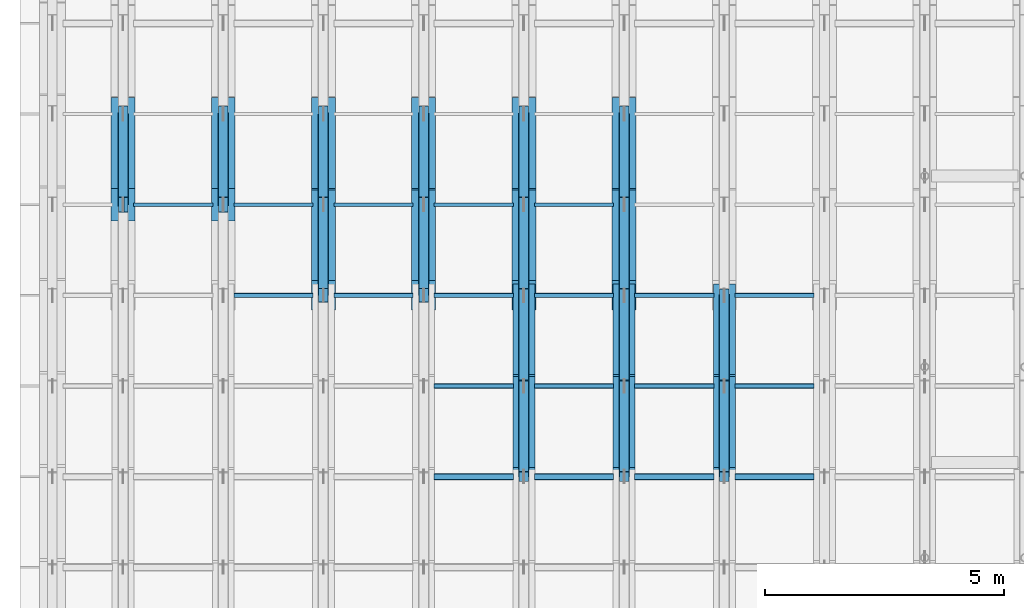
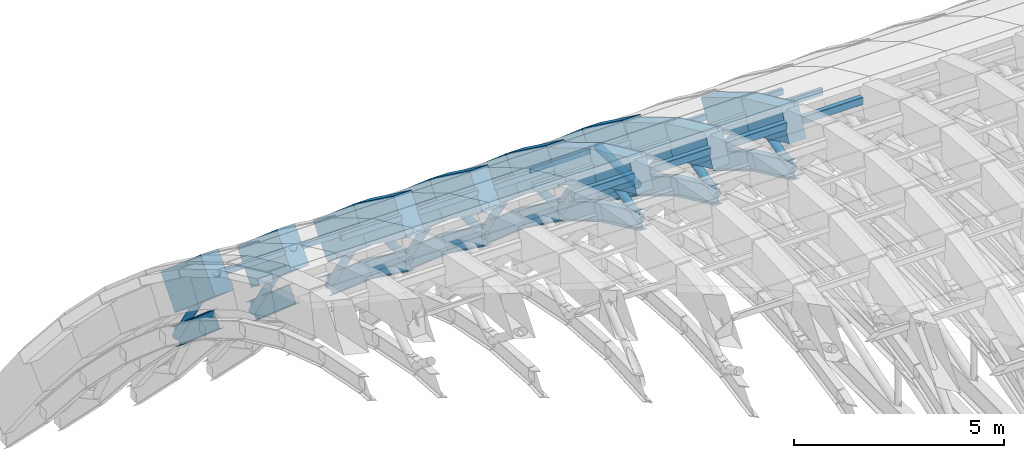
# One storey, part 14 of 67: 35 members, 32 beams.
"""IFC4 building model written with IfcOpenShell, lengths in metres."""

from ifc_helpers import new_model, si_unit, direction, frame, origin, origin_2d, place, context, subcontext, project, spatial, rectangle, hollow_rectangle, hollow_circle, i_section, extrude, material, material_profile, profile_set, type_object, element, save


model = new_model("IFC4")

# Units and contexts
model_context = context("Model", 3, precision=1e-05, world=origin(), true_north=direction((0.0, 1.0)))
body_context = subcontext(model_context, "Body", "Model", "MODEL_VIEW")
ifc_project = project(units=[si_unit("LENGTHUNIT", "METRE"), si_unit("AREAUNIT", "SQUARE_METRE"), si_unit("VOLUMEUNIT", "CUBIC_METRE"), si_unit("PLANEANGLEUNIT", "RADIAN"), si_unit("MASSUNIT", "GRAM", prefix="KILO")], contexts=[model_context])

# Site, building, storey
site_placement = place(None, origin())
site = spatial("IfcSite", under=ifc_project, at=site_placement, CompositionType="ELEMENT")
building_placement = place(site_placement, origin())
building = spatial("IfcBuilding", under=site, at=building_placement, Name="Shengluoqiao Park Theatre", CompositionType="ELEMENT")
storey_placement = place(building_placement, frame((0.0, 0.0, 28.60009765625)))
storey = spatial("IfcBuildingStorey", under=building, at=storey_placement, Name="Roof", CompositionType="ELEMENT", Elevation=28.60009765625)

# Beams
ifc_material_1 = material(Name="Concrete C50", Category="concrete")
ifc_material_profile_1 = material_profile(ifc_material_1, rectangle(XDim=0.4599609375, YDim=0.919921875, at=origin_2d()), Name="RC ARCH 460x920")
ifc_profile_set_1 = profile_set([ifc_material_profile_1], Name="Concrete C50")
beam_type_1 = type_object("IfcBeamType", Name="STR-BM-AR-4609", PredefinedType="BEAM", material=ifc_profile_set_1)
beam_1_placement = place(storey_placement, frame((54.89990234375, 100.699951171875, 1.44580078125), z_axis=(0.0, 0.907077318021, -0.420964059192), x_axis=(-1.0, 0.0, 0.0)))
element("IfcBeam", 1, at=beam_1_placement, inside=storey, type_object=beam_type_1, Name="Barrel-Shell Arch Rib R06-S14", PredefinedType="BEAM", context=body_context, shape_type="SweptSolid", body=[
    extrude(rectangle(XDim=0.4599609375, YDim=0.919921875, at=origin_2d()), origin(), (0.0, 0.0, 1.0), 2.0947265625),
])
beam_2_placement = place(storey_placement, frame((54.89990234375, 102.60009765625, 0.56396484375), z_axis=(0.0, 0.858668723557, -0.512530997292), x_axis=(-1.0, 0.0, 0.0)))
element("IfcBeam", 2, at=beam_2_placement, inside=storey, type_object=beam_type_1, Name="Barrel-Shell Arch Rib R06-S15", PredefinedType="BEAM", context=body_context, shape_type="SweptSolid", body=[
    extrude(rectangle(XDim=0.4599609375, YDim=0.919921875, at=origin_2d()), origin(), (0.0, 0.0, 1.0), 2.212646484375),
])
beam_3_placement = place(storey_placement, frame((57.0, 100.699951171875, 1.44580078125), z_axis=(0.0, 0.907077318021, -0.420964059192), x_axis=(-1.0, 0.0, 0.0)))
element("IfcBeam", 3, at=beam_3_placement, inside=storey, type_object=beam_type_1, Name="Barrel-Shell Arch Rib R07-S14", PredefinedType="BEAM", context=body_context, shape_type="SweptSolid", body=[
    extrude(rectangle(XDim=0.4599609375, YDim=0.919921875, at=origin_2d()), origin(), (0.0, 0.0, 1.0), 2.0947265625),
])
beam_4_placement = place(storey_placement, frame((57.0, 102.60009765625, 0.56396484375), z_axis=(0.0, 0.858668723557, -0.512530997292), x_axis=(-1.0, 0.0, 0.0)))
element("IfcBeam", 4, at=beam_4_placement, inside=storey, type_object=beam_type_1, Name="Barrel-Shell Arch Rib R07-S15", PredefinedType="BEAM", context=body_context, shape_type="SweptSolid", body=[
    extrude(rectangle(XDim=0.4599609375, YDim=0.919921875, at=origin_2d()), origin(), (0.0, 0.0, 1.0), 2.212646484375),
])
beam_5_placement = place(storey_placement, frame((59.10009765625, 100.699951171875, 1.44580078125), z_axis=(0.0, 0.907077318021, -0.420964059192), x_axis=(-1.0, 0.0, 0.0)))
element("IfcBeam", 5, at=beam_5_placement, inside=storey, type_object=beam_type_1, Name="Barrel-Shell Arch Rib R08-S14", PredefinedType="BEAM", context=body_context, shape_type="SweptSolid", body=[
    extrude(rectangle(XDim=0.4599609375, YDim=0.919921875, at=origin_2d()), origin(), (0.0, 0.0, 1.0), 2.0947265625),
])
beam_6_placement = place(storey_placement, frame((59.10009765625, 102.60009765625, 0.56396484375), z_axis=(0.0, 0.858668723557, -0.512530997292), x_axis=(-1.0, 0.0, 0.0)))
element("IfcBeam", 6, at=beam_6_placement, inside=storey, type_object=beam_type_1, Name="Barrel-Shell Arch Rib R08-S15", PredefinedType="BEAM", context=body_context, shape_type="SweptSolid", body=[
    extrude(rectangle(XDim=0.4599609375, YDim=0.919921875, at=origin_2d()), origin(), (0.0, 0.0, 1.0), 2.212646484375),
])
ifc_material_profile_2 = material_profile(ifc_material_1, rectangle(XDim=0.5, YDim=1.050048828125, at=origin_2d()), Name="RC ARCH 500x1050")
ifc_profile_set_2 = profile_set([ifc_material_profile_2], Name="Concrete C50")
beam_type_2 = type_object("IfcBeamType", Name="STR-BM-AR-5010", PredefinedType="BEAM", material=ifc_profile_set_2)
for number, where, z_axis, x_axis, name in (
    (7, (46.5, 106.39990234375, -1.9560546875), (0.0, 0.757433195517, -0.652912669757), (-1.0, 0.0, 0.0), "Barrel-Shell Arch Rib R02-S17"),
    (8, (48.60009765625, 106.39990234375, -1.9560546875), (0.0, 0.757433195517, -0.652912669757), (-1.0, 0.0, 0.0), "Barrel-Shell Arch Rib R03-S17"),
):
    element("IfcBeam", number, at=place(storey_placement, frame(where, z_axis=z_axis, x_axis=x_axis)), inside=storey, type_object=beam_type_2, Name=name, PredefinedType="BEAM", context=body_context, shape_type="SweptSolid", body=[
        extrude(rectangle(XDim=0.5, YDim=1.050048828125, at=origin_2d()), origin(), (0.0, 0.0, 1.0), 2.508544921875),
    ])
beam_7_placement = place(storey_placement, frame((50.699951171875, 104.5, -0.570068359375), z_axis=(0.0, 0.807877780345, -0.589350058985), x_axis=(-1.0, 0.0, 0.0)))
element("IfcBeam", 9, at=beam_7_placement, inside=storey, type_object=beam_type_2, Name="Barrel-Shell Arch Rib R04-S16", PredefinedType="BEAM", context=body_context, shape_type="SweptSolid", body=[
    extrude(rectangle(XDim=0.5, YDim=1.050048828125, at=origin_2d()), origin(), (0.0, 0.0, 1.0), 2.351806640625),
])
beam_8_placement = place(storey_placement, frame((50.699951171875, 106.39990234375, -1.9560546875), z_axis=(0.0, 0.757433195517, -0.652912669757), x_axis=(-1.0, 0.0, 0.0)))
element("IfcBeam", 10, at=beam_8_placement, inside=storey, type_object=beam_type_2, Name="Barrel-Shell Arch Rib R04-S17", PredefinedType="BEAM", context=body_context, shape_type="SweptSolid", body=[
    extrude(rectangle(XDim=0.5, YDim=1.050048828125, at=origin_2d()), origin(), (0.0, 0.0, 1.0), 2.508544921875),
])
beam_9_placement = place(storey_placement, frame((52.800048828125, 104.5, -0.570068359375), z_axis=(0.0, 0.807877780345, -0.589350058985), x_axis=(-1.0, 0.0, 0.0)))
element("IfcBeam", 11, at=beam_9_placement, inside=storey, type_object=beam_type_2, Name="Barrel-Shell Arch Rib R05-S16", PredefinedType="BEAM", context=body_context, shape_type="SweptSolid", body=[
    extrude(rectangle(XDim=0.5, YDim=1.050048828125, at=origin_2d()), origin(), (0.0, 0.0, 1.0), 2.351806640625),
])
beam_10_placement = place(storey_placement, frame((52.800048828125, 106.39990234375, -1.9560546875), z_axis=(0.0, 0.757433195517, -0.652912669757), x_axis=(-1.0, 0.0, 0.0)))
element("IfcBeam", 12, at=beam_10_placement, inside=storey, type_object=beam_type_2, Name="Barrel-Shell Arch Rib R05-S17", PredefinedType="BEAM", context=body_context, shape_type="SweptSolid", body=[
    extrude(rectangle(XDim=0.5, YDim=1.050048828125, at=origin_2d()), origin(), (0.0, 0.0, 1.0), 2.508544921875),
])
beam_11_placement = place(storey_placement, frame((54.89990234375, 104.5, -0.570068359375), z_axis=(0.0, 0.807877780345, -0.589350058985), x_axis=(-1.0, 0.0, 0.0)))
element("IfcBeam", 13, at=beam_11_placement, inside=storey, type_object=beam_type_2, Name="Barrel-Shell Arch Rib R06-S16", PredefinedType="BEAM", context=body_context, shape_type="SweptSolid", body=[
    extrude(rectangle(XDim=0.5, YDim=1.050048828125, at=origin_2d()), origin(), (0.0, 0.0, 1.0), 2.351806640625),
])
beam_12_placement = place(storey_placement, frame((54.89990234375, 106.39990234375, -1.9560546875), z_axis=(0.0, 0.757433195517, -0.652912669757), x_axis=(-1.0, 0.0, 0.0)))
element("IfcBeam", 14, at=beam_12_placement, inside=storey, type_object=beam_type_2, Name="Barrel-Shell Arch Rib R06-S17", PredefinedType="BEAM", context=body_context, shape_type="SweptSolid", body=[
    extrude(rectangle(XDim=0.5, YDim=1.050048828125, at=origin_2d()), origin(), (0.0, 0.0, 1.0), 2.508544921875),
])
beam_13_placement = place(storey_placement, frame((57.0, 104.5, -0.570068359375), z_axis=(0.0, 0.807877780345, -0.589350058985), x_axis=(-1.0, 0.0, 0.0)))
element("IfcBeam", 15, at=beam_13_placement, inside=storey, type_object=beam_type_2, Name="Barrel-Shell Arch Rib R07-S16", PredefinedType="BEAM", context=body_context, shape_type="SweptSolid", body=[
    extrude(rectangle(XDim=0.5, YDim=1.050048828125, at=origin_2d()), origin(), (0.0, 0.0, 1.0), 2.351806640625),
])
beam_14_placement = place(storey_placement, frame((57.0, 106.39990234375, -1.9560546875), z_axis=(0.0, 0.757433195517, -0.652912669757), x_axis=(-1.0, 0.0, 0.0)))
element("IfcBeam", 16, at=beam_14_placement, inside=storey, type_object=beam_type_2, Name="Barrel-Shell Arch Rib R07-S17", PredefinedType="BEAM", context=body_context, shape_type="SweptSolid", body=[
    extrude(rectangle(XDim=0.5, YDim=1.050048828125, at=origin_2d()), origin(), (0.0, 0.0, 1.0), 2.508544921875),
])
ifc_material_2 = material(Name="Steel Q355", Category="steel")
ifc_material_profile_3 = material_profile(ifc_material_2, i_section(OverallWidth=0.199951171875, OverallDepth=0.5, WebThickness=0.010009765625, FlangeThickness=0.01611328125, FilletRadius=0.01806640625, at=origin_2d()), Name="HN 500x200x10x16")
ifc_profile_set_3 = profile_set([ifc_material_profile_3], Name="Steel Q355")
beam_type_3 = type_object("IfcBeamType", Name="STR-BM-J-HN500", PredefinedType="JOIST", material=ifc_profile_set_3)
for number, where, z_axis, x_axis, name in (
    (17, (46.5, 106.39990234375, -3.316162109375), (0.0, 0.757433195517, -0.652912669757), (-1.0, 0.0, 0.0), "Barrel-Shell Lower Arch Chord R02-S17"),
    (18, (48.60009765625, 106.39990234375, -3.316162109375), (0.0, 0.757433195517, -0.652912669757), (-1.0, 0.0, 0.0), "Barrel-Shell Lower Arch Chord R03-S17"),
):
    element("IfcBeam", number, at=place(storey_placement, frame(where, z_axis=z_axis, x_axis=x_axis)), inside=storey, type_object=beam_type_3, Name=name, PredefinedType="JOIST", context=body_context, shape_type="SweptSolid", body=[
        extrude(i_section(OverallWidth=0.199951171875, OverallDepth=0.5, WebThickness=0.010009765625, FlangeThickness=0.01611328125, FilletRadius=0.01806640625, at=origin_2d()), origin(), (0.0, 0.0, 1.0), 2.508544921875),
    ])
beam_15_placement = place(storey_placement, frame((50.699951171875, 104.5, -1.93017578125), z_axis=(0.0, 0.807877780345, -0.589350058985), x_axis=(-1.0, 0.0, 0.0)))
element("IfcBeam", 19, at=beam_15_placement, inside=storey, type_object=beam_type_3, Name="Barrel-Shell Lower Arch Chord R04-S16", PredefinedType="JOIST", context=body_context, shape_type="SweptSolid", body=[
    extrude(i_section(OverallWidth=0.199951171875, OverallDepth=0.5, WebThickness=0.010009765625, FlangeThickness=0.01611328125, FilletRadius=0.01806640625, at=origin_2d()), origin(), (0.0, 0.0, 1.0), 2.351806640625),
])
beam_16_placement = place(storey_placement, frame((50.699951171875, 106.39990234375, -3.316162109375), z_axis=(0.0, 0.757433195517, -0.652912669757), x_axis=(-1.0, 0.0, 0.0)))
element("IfcBeam", 20, at=beam_16_placement, inside=storey, type_object=beam_type_3, Name="Barrel-Shell Lower Arch Chord R04-S17", PredefinedType="JOIST", context=body_context, shape_type="SweptSolid", body=[
    extrude(i_section(OverallWidth=0.199951171875, OverallDepth=0.5, WebThickness=0.010009765625, FlangeThickness=0.01611328125, FilletRadius=0.01806640625, at=origin_2d()), origin(), (0.0, 0.0, 1.0), 2.508544921875),
])
beam_17_placement = place(storey_placement, frame((52.800048828125, 104.5, -1.93017578125), z_axis=(0.0, 0.807877780345, -0.589350058985), x_axis=(-1.0, 0.0, 0.0)))
element("IfcBeam", 21, at=beam_17_placement, inside=storey, type_object=beam_type_3, Name="Barrel-Shell Lower Arch Chord R05-S16", PredefinedType="JOIST", context=body_context, shape_type="SweptSolid", body=[
    extrude(i_section(OverallWidth=0.199951171875, OverallDepth=0.5, WebThickness=0.010009765625, FlangeThickness=0.01611328125, FilletRadius=0.01806640625, at=origin_2d()), origin(), (0.0, 0.0, 1.0), 2.351806640625),
])
beam_18_placement = place(storey_placement, frame((52.800048828125, 106.39990234375, -3.316162109375), z_axis=(0.0, 0.757433195517, -0.652912669757), x_axis=(-1.0, 0.0, 0.0)))
element("IfcBeam", 22, at=beam_18_placement, inside=storey, type_object=beam_type_3, Name="Barrel-Shell Lower Arch Chord R05-S17", PredefinedType="JOIST", context=body_context, shape_type="SweptSolid", body=[
    extrude(i_section(OverallWidth=0.199951171875, OverallDepth=0.5, WebThickness=0.010009765625, FlangeThickness=0.01611328125, FilletRadius=0.01806640625, at=origin_2d()), origin(), (0.0, 0.0, 1.0), 2.508544921875),
])
beam_19_placement = place(storey_placement, frame((54.89990234375, 100.699951171875, 0.0859375), z_axis=(0.0, 0.907032812412, -0.421059944911), x_axis=(-1.0, 0.0, 0.0)))
element("IfcBeam", 23, at=beam_19_placement, inside=storey, type_object=beam_type_3, Name="Barrel-Shell Lower Arch Chord R06-S14", PredefinedType="JOIST", context=body_context, shape_type="SweptSolid", body=[
    extrude(i_section(OverallWidth=0.199951171875, OverallDepth=0.5, WebThickness=0.010009765625, FlangeThickness=0.01611328125, FilletRadius=0.01806640625, at=origin_2d()), origin(), (0.0, 0.0, 1.0), 2.094970703125),
])
beam_20_placement = place(storey_placement, frame((54.89990234375, 102.60009765625, -0.796142578125), z_axis=(0.0, 0.858668723557, -0.512530997292), x_axis=(-1.0, 0.0, 0.0)))
element("IfcBeam", 24, at=beam_20_placement, inside=storey, type_object=beam_type_3, Name="Barrel-Shell Lower Arch Chord R06-S15", PredefinedType="JOIST", context=body_context, shape_type="SweptSolid", body=[
    extrude(i_section(OverallWidth=0.199951171875, OverallDepth=0.5, WebThickness=0.010009765625, FlangeThickness=0.01611328125, FilletRadius=0.01806640625, at=origin_2d()), origin(), (0.0, 0.0, 1.0), 2.212646484375),
])
beam_21_placement = place(storey_placement, frame((54.89990234375, 104.5, -1.93017578125), z_axis=(0.0, 0.807877780345, -0.589350058985), x_axis=(-1.0, 0.0, 0.0)))
element("IfcBeam", 25, at=beam_21_placement, inside=storey, type_object=beam_type_3, Name="Barrel-Shell Lower Arch Chord R06-S16", PredefinedType="JOIST", context=body_context, shape_type="SweptSolid", body=[
    extrude(i_section(OverallWidth=0.199951171875, OverallDepth=0.5, WebThickness=0.010009765625, FlangeThickness=0.01611328125, FilletRadius=0.01806640625, at=origin_2d()), origin(), (0.0, 0.0, 1.0), 2.351806640625),
])
beam_22_placement = place(storey_placement, frame((54.89990234375, 106.39990234375, -3.316162109375), z_axis=(0.0, 0.757433195517, -0.652912669757), x_axis=(-1.0, 0.0, 0.0)))
element("IfcBeam", 26, at=beam_22_placement, inside=storey, type_object=beam_type_3, Name="Barrel-Shell Lower Arch Chord R06-S17", PredefinedType="JOIST", context=body_context, shape_type="SweptSolid", body=[
    extrude(i_section(OverallWidth=0.199951171875, OverallDepth=0.5, WebThickness=0.010009765625, FlangeThickness=0.01611328125, FilletRadius=0.01806640625, at=origin_2d()), origin(), (0.0, 0.0, 1.0), 2.508544921875),
])
beam_23_placement = place(storey_placement, frame((57.0, 100.699951171875, 0.0859375), z_axis=(0.0, 0.907032812412, -0.421059944911), x_axis=(-1.0, 0.0, 0.0)))
element("IfcBeam", 27, at=beam_23_placement, inside=storey, type_object=beam_type_3, Name="Barrel-Shell Lower Arch Chord R07-S14", PredefinedType="JOIST", context=body_context, shape_type="SweptSolid", body=[
    extrude(i_section(OverallWidth=0.199951171875, OverallDepth=0.5, WebThickness=0.010009765625, FlangeThickness=0.01611328125, FilletRadius=0.01806640625, at=origin_2d()), origin(), (0.0, 0.0, 1.0), 2.094970703125),
])
beam_24_placement = place(storey_placement, frame((57.0, 102.60009765625, -0.796142578125), z_axis=(0.0, 0.858668723557, -0.512530997292), x_axis=(-1.0, 0.0, 0.0)))
element("IfcBeam", 28, at=beam_24_placement, inside=storey, type_object=beam_type_3, Name="Barrel-Shell Lower Arch Chord R07-S15", PredefinedType="JOIST", context=body_context, shape_type="SweptSolid", body=[
    extrude(i_section(OverallWidth=0.199951171875, OverallDepth=0.5, WebThickness=0.010009765625, FlangeThickness=0.01611328125, FilletRadius=0.01806640625, at=origin_2d()), origin(), (0.0, 0.0, 1.0), 2.212646484375),
])
beam_25_placement = place(storey_placement, frame((57.0, 104.5, -1.93017578125), z_axis=(0.0, 0.807877780345, -0.589350058985), x_axis=(-1.0, 0.0, 0.0)))
element("IfcBeam", 29, at=beam_25_placement, inside=storey, type_object=beam_type_3, Name="Barrel-Shell Lower Arch Chord R07-S16", PredefinedType="JOIST", context=body_context, shape_type="SweptSolid", body=[
    extrude(i_section(OverallWidth=0.199951171875, OverallDepth=0.5, WebThickness=0.010009765625, FlangeThickness=0.01611328125, FilletRadius=0.01806640625, at=origin_2d()), origin(), (0.0, 0.0, 1.0), 2.351806640625),
])
beam_26_placement = place(storey_placement, frame((57.0, 106.39990234375, -3.316162109375), z_axis=(0.0, 0.757433195517, -0.652912669757), x_axis=(-1.0, 0.0, 0.0)))
element("IfcBeam", 30, at=beam_26_placement, inside=storey, type_object=beam_type_3, Name="Barrel-Shell Lower Arch Chord R07-S17", PredefinedType="JOIST", context=body_context, shape_type="SweptSolid", body=[
    extrude(i_section(OverallWidth=0.199951171875, OverallDepth=0.5, WebThickness=0.010009765625, FlangeThickness=0.01611328125, FilletRadius=0.01806640625, at=origin_2d()), origin(), (0.0, 0.0, 1.0), 2.508544921875),
])
beam_27_placement = place(storey_placement, frame((59.10009765625, 100.699951171875, 0.0859375), z_axis=(0.0, 0.907032812412, -0.421059944911), x_axis=(-1.0, 0.0, 0.0)))
element("IfcBeam", 31, at=beam_27_placement, inside=storey, type_object=beam_type_3, Name="Barrel-Shell Lower Arch Chord R08-S14", PredefinedType="JOIST", context=body_context, shape_type="SweptSolid", body=[
    extrude(i_section(OverallWidth=0.199951171875, OverallDepth=0.5, WebThickness=0.010009765625, FlangeThickness=0.01611328125, FilletRadius=0.01806640625, at=origin_2d()), origin(), (0.0, 0.0, 1.0), 2.094970703125),
])
beam_28_placement = place(storey_placement, frame((59.10009765625, 102.60009765625, -0.796142578125), z_axis=(0.0, 0.858668723557, -0.512530997292), x_axis=(-1.0, 0.0, 0.0)))
element("IfcBeam", 32, at=beam_28_placement, inside=storey, type_object=beam_type_3, Name="Barrel-Shell Lower Arch Chord R08-S15", PredefinedType="JOIST", context=body_context, shape_type="SweptSolid", body=[
    extrude(i_section(OverallWidth=0.199951171875, OverallDepth=0.5, WebThickness=0.010009765625, FlangeThickness=0.01611328125, FilletRadius=0.01806640625, at=origin_2d()), origin(), (0.0, 0.0, 1.0), 2.212646484375),
])

# Members
ifc_material_profile_4 = material_profile(ifc_material_2, hollow_circle(Radius=0.109619140625, WallThickness=0.010009765625, at=origin_2d()), Name="CHS 219x10")
ifc_profile_set_4 = profile_set([ifc_material_profile_4], Name="Steel Q355")
member_type_1 = type_object("IfcMemberType", Name="STR-MEM-BRC-219", PredefinedType="BRACE", material=ifc_profile_set_4)
for number, where, z_axis, x_axis, name in (
    (33, (46.5, 106.39990234375, -1.9560546875), (0.0, 0.535330234694, -0.844642847494), (-1.0, 0.0, 0.0), "Barrel-Shell Arch Truss Web 0037"),
    (34, (48.60009765625, 106.39990234375, -1.9560546875), (0.0, 0.535330234694, -0.844642847494), (-1.0, 0.0, 0.0), "Barrel-Shell Arch Truss Web 0057"),
):
    element("IfcMember", number, at=place(storey_placement, frame(where, z_axis=z_axis, x_axis=x_axis)), inside=storey, type_object=member_type_1, Name=name, PredefinedType="BRACE", context=body_context, shape_type="SweptSolid", body=[
        extrude(hollow_circle(Radius=0.109619140625, WallThickness=0.010009765625, at=origin_2d()), origin(), (0.0, 0.0, 1.0), 3.549560546875),
    ])
member_1_placement = place(storey_placement, frame((50.699951171875, 104.5, -1.93017578125), z_axis=(0.0, 0.999907244674, -0.013619913639), x_axis=(-1.0, 0.0, 0.0)))
element("IfcMember", 35, at=member_1_placement, inside=storey, type_object=member_type_1, Name="Barrel-Shell Arch Truss Web 0076", PredefinedType="BRACE", context=body_context, shape_type="SweptSolid", body=[
    extrude(hollow_circle(Radius=0.109619140625, WallThickness=0.010009765625, at=origin_2d()), origin(), (0.0, 0.0, 1.0), 1.900146484375),
])
member_2_placement = place(storey_placement, frame((50.699951171875, 106.39990234375, -1.9560546875), z_axis=(0.0, 0.535330234694, -0.844642847494), x_axis=(-1.0, 0.0, 0.0)))
element("IfcMember", 36, at=member_2_placement, inside=storey, type_object=member_type_1, Name="Barrel-Shell Arch Truss Web 0077", PredefinedType="BRACE", context=body_context, shape_type="SweptSolid", body=[
    extrude(hollow_circle(Radius=0.109619140625, WallThickness=0.010009765625, at=origin_2d()), origin(), (0.0, 0.0, 1.0), 3.549560546875),
])
member_3_placement = place(storey_placement, frame((52.800048828125, 104.5, -1.93017578125), z_axis=(0.0, 0.999907244674, -0.013619913639), x_axis=(-1.0, 0.0, 0.0)))
element("IfcMember", 37, at=member_3_placement, inside=storey, type_object=member_type_1, Name="Barrel-Shell Arch Truss Web 0096", PredefinedType="BRACE", context=body_context, shape_type="SweptSolid", body=[
    extrude(hollow_circle(Radius=0.109619140625, WallThickness=0.010009765625, at=origin_2d()), origin(), (0.0, 0.0, 1.0), 1.900146484375),
])
member_4_placement = place(storey_placement, frame((52.800048828125, 106.39990234375, -1.9560546875), z_axis=(0.0, 0.535330234694, -0.844642847494), x_axis=(-1.0, 0.0, 0.0)))
element("IfcMember", 38, at=member_4_placement, inside=storey, type_object=member_type_1, Name="Barrel-Shell Arch Truss Web 0097", PredefinedType="BRACE", context=body_context, shape_type="SweptSolid", body=[
    extrude(hollow_circle(Radius=0.109619140625, WallThickness=0.010009765625, at=origin_2d()), origin(), (0.0, 0.0, 1.0), 3.549560546875),
])
member_5_placement = place(storey_placement, frame((54.89990234375, 100.699951171875, 0.0859375), z_axis=(0.0, 0.96978228772, 0.243971954176), x_axis=(-1.0, 0.0, 0.0)))
element("IfcMember", 39, at=member_5_placement, inside=storey, type_object=member_type_1, Name="Barrel-Shell Arch Truss Web 0114", PredefinedType="BRACE", context=body_context, shape_type="SweptSolid", body=[
    extrude(hollow_circle(Radius=0.109619140625, WallThickness=0.010009765625, at=origin_2d()), origin(), (0.0, 0.0, 1.0), 1.95947265625),
])
member_6_placement = place(storey_placement, frame((54.89990234375, 102.60009765625, 0.56396484375), z_axis=(0.0, 0.605963445698, -0.795492490523), x_axis=(-1.0, 0.0, 0.0)))
element("IfcMember", 40, at=member_6_placement, inside=storey, type_object=member_type_1, Name="Barrel-Shell Arch Truss Web 0115", PredefinedType="BRACE", context=body_context, shape_type="SweptSolid", body=[
    extrude(hollow_circle(Radius=0.109619140625, WallThickness=0.010009765625, at=origin_2d()), origin(), (0.0, 0.0, 1.0), 3.13525390625),
])
member_7_placement = place(storey_placement, frame((54.89990234375, 104.5, -1.93017578125), z_axis=(0.0, 0.999907244674, -0.013619913639), x_axis=(-1.0, 0.0, 0.0)))
element("IfcMember", 41, at=member_7_placement, inside=storey, type_object=member_type_1, Name="Barrel-Shell Arch Truss Web 0116", PredefinedType="BRACE", context=body_context, shape_type="SweptSolid", body=[
    extrude(hollow_circle(Radius=0.109619140625, WallThickness=0.010009765625, at=origin_2d()), origin(), (0.0, 0.0, 1.0), 1.900146484375),
])
member_8_placement = place(storey_placement, frame((54.89990234375, 106.39990234375, -1.9560546875), z_axis=(0.0, 0.535330234694, -0.844642847494), x_axis=(-1.0, 0.0, 0.0)))
element("IfcMember", 42, at=member_8_placement, inside=storey, type_object=member_type_1, Name="Barrel-Shell Arch Truss Web 0117", PredefinedType="BRACE", context=body_context, shape_type="SweptSolid", body=[
    extrude(hollow_circle(Radius=0.109619140625, WallThickness=0.010009765625, at=origin_2d()), origin(), (0.0, 0.0, 1.0), 3.549560546875),
])
member_9_placement = place(storey_placement, frame((57.0, 100.699951171875, 0.0859375), z_axis=(0.0, 0.96978228772, 0.243971954176), x_axis=(-1.0, 0.0, 0.0)))
element("IfcMember", 43, at=member_9_placement, inside=storey, type_object=member_type_1, Name="Barrel-Shell Arch Truss Web 0134", PredefinedType="BRACE", context=body_context, shape_type="SweptSolid", body=[
    extrude(hollow_circle(Radius=0.109619140625, WallThickness=0.010009765625, at=origin_2d()), origin(), (0.0, 0.0, 1.0), 1.95947265625),
])
member_10_placement = place(storey_placement, frame((57.0, 102.60009765625, 0.56396484375), z_axis=(0.0, 0.605963445698, -0.795492490523), x_axis=(-1.0, 0.0, 0.0)))
element("IfcMember", 44, at=member_10_placement, inside=storey, type_object=member_type_1, Name="Barrel-Shell Arch Truss Web 0135", PredefinedType="BRACE", context=body_context, shape_type="SweptSolid", body=[
    extrude(hollow_circle(Radius=0.109619140625, WallThickness=0.010009765625, at=origin_2d()), origin(), (0.0, 0.0, 1.0), 3.13525390625),
])
member_11_placement = place(storey_placement, frame((57.0, 104.5, -1.93017578125), z_axis=(0.0, 0.999907244674, -0.013619913639), x_axis=(-1.0, 0.0, 0.0)))
element("IfcMember", 45, at=member_11_placement, inside=storey, type_object=member_type_1, Name="Barrel-Shell Arch Truss Web 0136", PredefinedType="BRACE", context=body_context, shape_type="SweptSolid", body=[
    extrude(hollow_circle(Radius=0.109619140625, WallThickness=0.010009765625, at=origin_2d()), origin(), (0.0, 0.0, 1.0), 1.900146484375),
])
member_12_placement = place(storey_placement, frame((57.0, 106.39990234375, -1.9560546875), z_axis=(0.0, 0.535330234694, -0.844642847494), x_axis=(-1.0, 0.0, 0.0)))
element("IfcMember", 46, at=member_12_placement, inside=storey, type_object=member_type_1, Name="Barrel-Shell Arch Truss Web 0137", PredefinedType="BRACE", context=body_context, shape_type="SweptSolid", body=[
    extrude(hollow_circle(Radius=0.109619140625, WallThickness=0.010009765625, at=origin_2d()), origin(), (0.0, 0.0, 1.0), 3.549560546875),
])
member_13_placement = place(storey_placement, frame((59.10009765625, 100.699951171875, 0.0859375), z_axis=(0.0, 0.96978228772, 0.243971954176), x_axis=(-1.0, 0.0, 0.0)))
element("IfcMember", 47, at=member_13_placement, inside=storey, type_object=member_type_1, Name="Barrel-Shell Arch Truss Web 0154", PredefinedType="BRACE", context=body_context, shape_type="SweptSolid", body=[
    extrude(hollow_circle(Radius=0.109619140625, WallThickness=0.010009765625, at=origin_2d()), origin(), (0.0, 0.0, 1.0), 1.95947265625),
])
member_14_placement = place(storey_placement, frame((59.10009765625, 102.60009765625, 0.56396484375), z_axis=(0.0, 0.605963445698, -0.795492490523), x_axis=(-1.0, 0.0, 0.0)))
element("IfcMember", 48, at=member_14_placement, inside=storey, type_object=member_type_1, Name="Barrel-Shell Arch Truss Web 0155", PredefinedType="BRACE", context=body_context, shape_type="SweptSolid", body=[
    extrude(hollow_circle(Radius=0.109619140625, WallThickness=0.010009765625, at=origin_2d()), origin(), (0.0, 0.0, 1.0), 3.13525390625),
])
ifc_material_profile_5 = material_profile(ifc_material_2, hollow_rectangle(XDim=0.080078125, YDim=0.159912109375, WallThickness=0.006103515625, InnerFilletRadius=0.006103515625, OuterFilletRadius=0.011962890625, at=origin_2d()), Name="RHS 160x80x6")
ifc_profile_set_5 = profile_set([ifc_material_profile_5], Name="Steel Q355")
member_type_2 = type_object("IfcMemberType", Name="STR-MEM-PU-R160", PredefinedType="PURLIN", material=ifc_profile_set_5)
for number, where, z_axis, x_axis, name in (
    (49, (46.719970703125, 106.39990234375, -2.006103515625), (1.0, 0.0, 0.0), (0.0, 1.0, 0.0), "Shell Longitudinal Purlin 0035"),
    (50, (48.820068359375, 106.39990234375, -2.006103515625), (1.0, 0.0, 0.0), (0.0, 1.0, 0.0), "Shell Longitudinal Purlin 0054"),
):
    element("IfcMember", number, at=place(storey_placement, frame(where, z_axis=z_axis, x_axis=x_axis)), inside=storey, type_object=member_type_2, Name=name, PredefinedType="PURLIN", context=body_context, shape_type="SweptSolid", body=[
        extrude(hollow_rectangle(XDim=0.080078125, YDim=0.159912109375, WallThickness=0.006103515625, InnerFilletRadius=0.006103515625, OuterFilletRadius=0.011962890625, at=origin_2d()), origin(), (0.0, 0.0, 1.0), 1.659912109375),
    ])
member_15_placement = place(storey_placement, frame((50.919921875, 106.39990234375, -2.006103515625), z_axis=(1.0, 0.0, 0.0), x_axis=(0.0, 1.0, 0.0)))
element("IfcMember", 51, at=member_15_placement, inside=storey, type_object=member_type_2, Name="Shell Longitudinal Purlin 0073", PredefinedType="PURLIN", context=body_context, shape_type="SweptSolid", body=[
    extrude(hollow_rectangle(XDim=0.080078125, YDim=0.159912109375, WallThickness=0.006103515625, InnerFilletRadius=0.006103515625, OuterFilletRadius=0.011962890625, at=origin_2d()), origin(), (0.0, 0.0, 1.0), 1.66015625),
])
for number, where, z_axis, x_axis, name in (
    (52, (53.02001953125, 106.39990234375, -2.006103515625), (1.0, 0.0, 0.0), (0.0, 1.0, 0.0), "Shell Longitudinal Purlin 0092"),
    (53, (55.1201171875, 106.39990234375, -2.006103515625), (1.0, 0.0, 0.0), (0.0, 1.0, 0.0), "Shell Longitudinal Purlin 0111"),
):
    element("IfcMember", number, at=place(storey_placement, frame(where, z_axis=z_axis, x_axis=x_axis)), inside=storey, type_object=member_type_2, Name=name, PredefinedType="PURLIN", context=body_context, shape_type="SweptSolid", body=[
        extrude(hollow_rectangle(XDim=0.080078125, YDim=0.159912109375, WallThickness=0.006103515625, InnerFilletRadius=0.006103515625, OuterFilletRadius=0.011962890625, at=origin_2d()), origin(), (0.0, 0.0, 1.0), 1.659912109375),
    ])
ifc_material_profile_6 = material_profile(ifc_material_2, hollow_rectangle(XDim=0.10009765625, YDim=0.179931640625, WallThickness=0.008056640625, InnerFilletRadius=0.008056640625, OuterFilletRadius=0.01611328125, at=origin_2d()), Name="RHS 180x100x8")
ifc_profile_set_6 = profile_set([ifc_material_profile_6], Name="Steel Q355")
member_type_3 = type_object("IfcMemberType", Name="STR-MEM-PU-R180", PredefinedType="PURLIN", material=ifc_profile_set_6)
member_16_placement = place(storey_placement, frame((48.820068359375, 104.5, -0.590087890625), z_axis=(1.0, 0.0, 0.0), x_axis=(0.0, 1.0, 0.0)))
element("IfcMember", 54, at=member_16_placement, inside=storey, type_object=member_type_3, Name="Shell Longitudinal Purlin 0053", PredefinedType="PURLIN", context=body_context, shape_type="SweptSolid", body=[
    extrude(hollow_rectangle(XDim=0.10009765625, YDim=0.179931640625, WallThickness=0.008056640625, InnerFilletRadius=0.008056640625, OuterFilletRadius=0.01611328125, at=origin_2d()), origin(), (0.0, 0.0, 1.0), 1.659912109375),
])
member_17_placement = place(storey_placement, frame((50.919921875, 104.5, -0.590087890625), z_axis=(1.0, 0.0, 0.0), x_axis=(0.0, 1.0, 0.0)))
element("IfcMember", 55, at=member_17_placement, inside=storey, type_object=member_type_3, Name="Shell Longitudinal Purlin 0072", PredefinedType="PURLIN", context=body_context, shape_type="SweptSolid", body=[
    extrude(hollow_rectangle(XDim=0.10009765625, YDim=0.179931640625, WallThickness=0.008056640625, InnerFilletRadius=0.008056640625, OuterFilletRadius=0.01611328125, at=origin_2d()), origin(), (0.0, 0.0, 1.0), 1.66015625),
])
for number, where, z_axis, x_axis, name in (
    (56, (53.02001953125, 104.5, -0.590087890625), (1.0, 0.0, 0.0), (0.0, 1.0, 0.0), "Shell Longitudinal Purlin 0091"),
    (57, (55.1201171875, 104.5, -0.590087890625), (1.0, 0.0, 0.0), (0.0, 1.0, 0.0), "Shell Longitudinal Purlin 0110"),
    (58, (57.219970703125, 104.5, -0.590087890625), (1.0, 0.0, 0.0), (0.0, 1.0, 0.0), "Shell Longitudinal Purlin 0129"),
    (59, (59.320068359375, 104.5, -0.590087890625), (1.0, 0.0, 0.0), (0.0, 1.0, 0.0), "Shell Longitudinal Purlin 0148"),
):
    element("IfcMember", number, at=place(storey_placement, frame(where, z_axis=z_axis, x_axis=x_axis)), inside=storey, type_object=member_type_3, Name=name, PredefinedType="PURLIN", context=body_context, shape_type="SweptSolid", body=[
        extrude(hollow_rectangle(XDim=0.10009765625, YDim=0.179931640625, WallThickness=0.008056640625, InnerFilletRadius=0.008056640625, OuterFilletRadius=0.01611328125, at=origin_2d()), origin(), (0.0, 0.0, 1.0), 1.659912109375),
    ])
ifc_material_profile_7 = material_profile(ifc_material_2, hollow_rectangle(XDim=0.10009765625, YDim=0.199951171875, WallThickness=0.008056640625, InnerFilletRadius=0.008056640625, OuterFilletRadius=0.01611328125, at=origin_2d()), Name="RHS 200x100x8")
ifc_profile_set_7 = profile_set([ifc_material_profile_7], Name="Steel Q355")
member_type_4 = type_object("IfcMemberType", Name="STR-MEM-PU-R200", PredefinedType="PURLIN", material=ifc_profile_set_7)
for number, where, z_axis, x_axis, name in (
    (60, (53.02001953125, 102.60009765625, 0.56396484375), (1.0, 0.0, 0.0), (0.0, 1.0, 0.0), "Shell Longitudinal Purlin 0090"),
    (61, (55.1201171875, 102.60009765625, 0.56396484375), (1.0, 0.0, 0.0), (0.0, 1.0, 0.0), "Shell Longitudinal Purlin 0109"),
    (62, (57.219970703125, 102.60009765625, 0.56396484375), (1.0, 0.0, 0.0), (0.0, 1.0, 0.0), "Shell Longitudinal Purlin 0128"),
    (63, (59.320068359375, 102.60009765625, 0.56396484375), (1.0, 0.0, 0.0), (0.0, 1.0, 0.0), "Shell Longitudinal Purlin 0147"),
):
    element("IfcMember", number, at=place(storey_placement, frame(where, z_axis=z_axis, x_axis=x_axis)), inside=storey, type_object=member_type_4, Name=name, PredefinedType="PURLIN", context=body_context, shape_type="SweptSolid", body=[
        extrude(hollow_rectangle(XDim=0.10009765625, YDim=0.199951171875, WallThickness=0.008056640625, InnerFilletRadius=0.008056640625, OuterFilletRadius=0.01611328125, at=origin_2d()), origin(), (0.0, 0.0, 1.0), 1.659912109375),
    ])
ifc_material_profile_8 = material_profile(ifc_material_2, hollow_rectangle(XDim=0.139892578125, YDim=0.219970703125, WallThickness=0.010009765625, InnerFilletRadius=0.010009765625, OuterFilletRadius=0.02001953125, at=origin_2d()), Name="RHS 220x140x10")
ifc_profile_set_8 = profile_set([ifc_material_profile_8], Name="Steel Q355")
member_type_5 = type_object("IfcMemberType", Name="STR-MEM-PU-R220", PredefinedType="PURLIN", material=ifc_profile_set_8)
for number, where, z_axis, x_axis, name in (
    (64, (53.02001953125, 100.699951171875, 1.4658203125), (1.0, 0.0, 0.0), (0.0, 1.0, 0.0), "Shell Longitudinal Purlin 0089"),
    (65, (55.1201171875, 100.699951171875, 1.4658203125), (1.0, 0.0, 0.0), (0.0, 1.0, 0.0), "Shell Longitudinal Purlin 0108"),
    (66, (57.219970703125, 100.699951171875, 1.4658203125), (1.0, 0.0, 0.0), (0.0, 1.0, 0.0), "Shell Longitudinal Purlin 0127"),
    (67, (59.320068359375, 100.699951171875, 1.4658203125), (1.0, 0.0, 0.0), (0.0, 1.0, 0.0), "Shell Longitudinal Purlin 0146"),
):
    element("IfcMember", number, at=place(storey_placement, frame(where, z_axis=z_axis, x_axis=x_axis)), inside=storey, type_object=member_type_5, Name=name, PredefinedType="PURLIN", context=body_context, shape_type="SweptSolid", body=[
        extrude(hollow_rectangle(XDim=0.139892578125, YDim=0.219970703125, WallThickness=0.010009765625, InnerFilletRadius=0.010009765625, OuterFilletRadius=0.02001953125, at=origin_2d()), origin(), (0.0, 0.0, 1.0), 1.659912109375),
    ])

save(model, "model.ifc")
